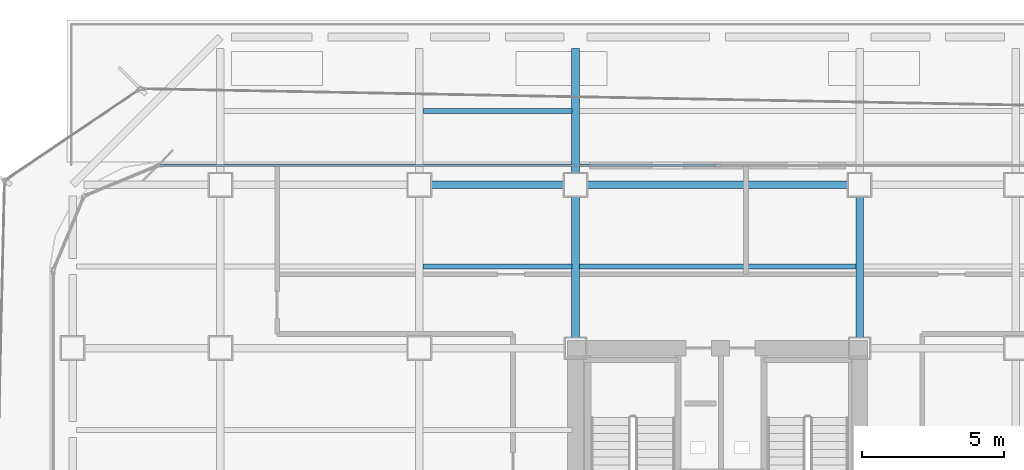
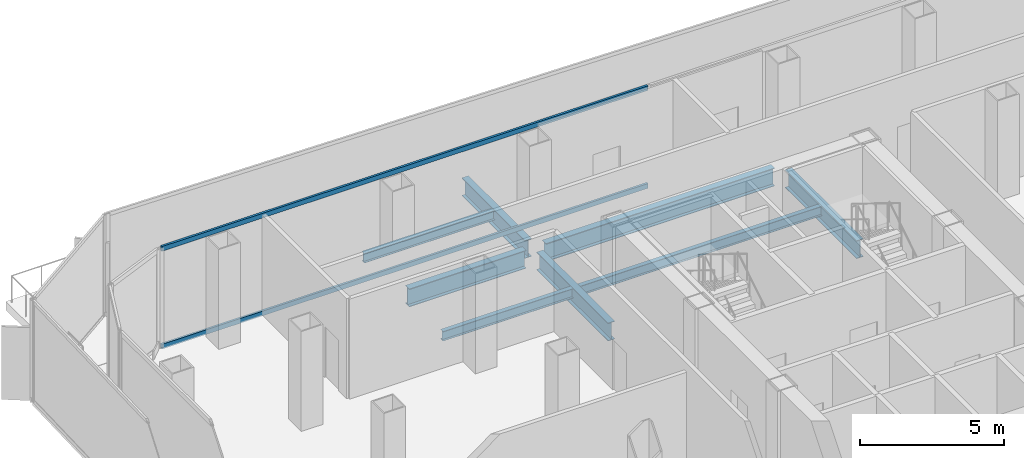
# One storey, part 11 of 21: 8 beams, 2 members, 1 element without a shape of its own.
"""IFC4 building model written with IfcOpenShell, lengths in metres."""

from ifc_helpers import new_model, si_unit, direction, frame, origin, origin_2d, place, context, subcontext, project, spatial, hollow_rectangle, i_section, extrude, source, transform, mapped, material, layer, layer_set, material_profile, profile_set, type_object, element, aggregate, save


model = new_model("IFC4")

# Units and contexts
model_context = context("Model", 3, precision=1e-05, world=origin(), true_north=direction((0.0, 1.0)))
body_context = subcontext(model_context, "Body", "Model", "MODEL_VIEW")
ifc_project = project(units=[si_unit("LENGTHUNIT", "METRE"), si_unit("AREAUNIT", "SQUARE_METRE"), si_unit("VOLUMEUNIT", "CUBIC_METRE"), si_unit("PLANEANGLEUNIT", "RADIAN"), si_unit("MASSUNIT", "GRAM", prefix="KILO")], contexts=[model_context])

# Site, building, storey
site_placement = place(None, origin())
site = spatial("IfcSite", under=ifc_project, at=site_placement, CompositionType="ELEMENT")
building_placement = place(site_placement, origin())
building = spatial("IfcBuilding", under=site, at=building_placement, Name="Kolveth Station Tower", CompositionType="ELEMENT")
storey_placement = place(building_placement, frame((0.0, 0.0, 88.199951171875)))
storey = spatial("IfcBuildingStorey", under=building, at=storey_placement, Name="L23", CompositionType="ELEMENT", Elevation=88.199951171875)

# Beams
ifc_material_1 = material(Name="Steel S355", Category="steel")
ifc_material_profile_1 = material_profile(ifc_material_1, i_section(OverallWidth=0.26708984375, OverallDepth=0.76611328125, WebThickness=0.014892578125, FlangeThickness=0.023681640625, at=origin_2d()), Name="W760x185")
ifc_profile_set_1 = profile_set([ifc_material_profile_1], Name="Steel S355")
beam_type_1 = type_object("IfcBeamType", Name="Beam_B3", PredefinedType="BEAM", material=ifc_profile_set_1)
shared_shape_1 = source(origin(), body_context, "Body", "SweptSolid", [
    extrude(i_section(OverallWidth=0.26708984375, OverallDepth=0.76611328125, WebThickness=0.014892578125, FlangeThickness=0.023681640625, at=origin_2d()), origin(), (0.0, 0.0, 1.0), 4.400146484375),
])
beam_1_placement = place(storey_placement, frame((18.5, 34.89990234375, -0.742919921875), z_axis=(0.0, 1.0, 0.0), x_axis=(-1.0, 0.0, 0.0)))
element("IfcBeam", 1, at=beam_1_placement, inside=storey, type_object=beam_type_1, Name="L23 Primary Girder BM-L23-GX185-7", PredefinedType="BEAM", context=body_context, shape_type="MappedRepresentation", body=[
    mapped(shared_shape_1, transform((0.0, 0.0, 0.0), x_axis=(1.0, 0.0, 0.0), y_axis=(0.0, 1.0, 0.0), z_axis=(0.0, 0.0, 1.0), scale=1.0)),
])
shared_shape_2 = source(origin(), body_context, "Body", "SweptSolid", [
    extrude(i_section(OverallWidth=0.26708984375, OverallDepth=0.76611328125, WebThickness=0.014892578125, FlangeThickness=0.023681640625, at=origin_2d()), origin(), (0.0, 0.0, 1.0), 4.7001953125),
])
beam_2_placement = place(storey_placement, frame((13.39990234375, 34.5, -0.742919921875), z_axis=(1.0, 0.0, 0.0), x_axis=(0.0, 1.0, 0.0)))
element("IfcBeam", 2, at=beam_2_placement, inside=storey, type_object=beam_type_1, Name="L23 Primary Girder BM-L23-GY345-3", PredefinedType="BEAM", context=body_context, shape_type="MappedRepresentation", body=[
    mapped(shared_shape_2, transform((0.0, 0.0, 0.0), x_axis=(1.0, 0.0, 0.0), y_axis=(0.0, 1.0, 0.0), z_axis=(0.0, 0.0, 1.0), scale=1.0)),
])
shared_shape_3 = source(origin(), body_context, "Body", "SweptSolid", [
    extrude(i_section(OverallWidth=0.26708984375, OverallDepth=0.76611328125, WebThickness=0.014892578125, FlangeThickness=0.023681640625, at=origin_2d()), origin(), (0.0, 0.0, 1.0), 9.2001953125),
])
beam_3_placement = place(storey_placement, frame((18.89990234375, 34.5, -0.742919921875), z_axis=(1.0, 0.0, 0.0), x_axis=(0.0, 1.0, 0.0)))
element("IfcBeam", 3, at=beam_3_placement, inside=storey, type_object=beam_type_1, Name="L23 Primary Girder BM-L23-GY345-4", PredefinedType="BEAM", context=body_context, shape_type="MappedRepresentation", body=[
    mapped(shared_shape_3, transform((0.0, 0.0, 0.0), x_axis=(1.0, 0.0, 0.0), y_axis=(0.0, 1.0, 0.0), z_axis=(0.0, 0.0, 1.0), scale=1.0)),
])
shared_shape_4 = source(origin(), body_context, "Body", "SweptSolid", [
    extrude(i_section(OverallWidth=0.26708984375, OverallDepth=0.76611328125, WebThickness=0.014892578125, FlangeThickness=0.023681640625, at=origin_2d()), origin(), (0.0, 0.0, 1.0), 4.989990234375),
])
for number, where, z_axis, x_axis, name in (
    (4, (18.5, 29.110107421875, -0.742919921875), (0.0, 1.0, 0.0), (-1.0, 0.0, 0.0), "L23 Primary Girder BM-L23-GX185-6"),
    (5, (28.5, 29.110107421875, -0.742919921875), (0.0, 1.0, 0.0), (-1.0, 0.0, 0.0), "L23 Primary Girder BM-L23-GX285-6"),
):
    element("IfcBeam", number, at=place(storey_placement, frame(where, z_axis=z_axis, x_axis=x_axis)), inside=storey, type_object=beam_type_1, Name=name, PredefinedType="BEAM", context=body_context, shape_type="MappedRepresentation", body=[
        mapped(shared_shape_4, transform((0.0, 0.0, 0.0), x_axis=(1.0, 0.0, 0.0), y_axis=(0.0, 1.0, 0.0), z_axis=(0.0, 0.0, 1.0), scale=1.0)),
    ])
ifc_material_profile_2 = material_profile(ifc_material_1, i_section(OverallWidth=0.177978515625, OverallDepth=0.406982421875, WebThickness=0.0078125, FlangeThickness=0.0126953125, at=origin_2d()), Name="W410x60")
ifc_profile_set_2 = profile_set([ifc_material_profile_2], Name="Steel S355")
beam_type_2 = type_object("IfcBeamType", Name="Beam_J1", PredefinedType="JOIST", material=ifc_profile_set_2)
shared_shape_5 = source(origin(), body_context, "Body", "SweptSolid", [
    extrude(i_section(OverallWidth=0.177978515625, OverallDepth=0.406982421875, WebThickness=0.0078125, FlangeThickness=0.0126953125, at=origin_2d()), origin(), (0.0, 0.0, 1.0), 5.23681640625),
])
for number, where, z_axis, x_axis, name in (
    (6, (13.131591796875, 31.625, -0.5634765625), (1.0, 0.0, 0.0), (0.0, 1.0, 0.0), "L23 Secondary Joist JST-L23-3-6"),
    (7, (13.131591796875, 37.10009765625, -0.5634765625), (1.0, 0.0, 0.0), (0.0, 1.0, 0.0), "L23 Secondary Joist JST-L23-3-7"),
):
    element("IfcBeam", number, at=place(storey_placement, frame(where, z_axis=z_axis, x_axis=x_axis)), inside=storey, type_object=beam_type_2, Name=name, PredefinedType="JOIST", context=body_context, shape_type="MappedRepresentation", body=[
        mapped(shared_shape_5, transform((0.0, 0.0, 0.0), x_axis=(1.0, 0.0, 0.0), y_axis=(0.0, 1.0, 0.0), z_axis=(0.0, 0.0, 1.0), scale=1.0)),
    ])
shared_shape_6 = source(origin(), body_context, "Body", "SweptSolid", [
    extrude(i_section(OverallWidth=0.177978515625, OverallDepth=0.406982421875, WebThickness=0.0078125, FlangeThickness=0.0126953125, at=origin_2d()), origin(), (0.0, 0.0, 1.0), 9.73681640625),
])
beam_4_placement = place(storey_placement, frame((18.631591796875, 31.625, -0.5634765625), z_axis=(1.0, 0.0, 0.0), x_axis=(0.0, 1.0, 0.0)))
element("IfcBeam", 8, at=beam_4_placement, inside=storey, type_object=beam_type_2, Name="L23 Secondary Joist JST-L23-4-6", PredefinedType="JOIST", context=body_context, shape_type="MappedRepresentation", body=[
    mapped(shared_shape_6, transform((0.0, 0.0, 0.0), x_axis=(1.0, 0.0, 0.0), y_axis=(0.0, 1.0, 0.0), z_axis=(0.0, 0.0, 1.0), scale=1.0)),
])

# Curtain wall, members
ifc_material_2 = material(Name="Aluminium 6063-T6 and acoustic laminated dark glass", Category="aluminium")
ifc_layer = layer(ifc_material_2, 0.219970703125)
ifc_layer_set = layer_set([ifc_layer], Name="Aluminium 6063-T6 and acoustic laminated dark glass")
curtain_wall_type = type_object("IfcCurtainWallType", Name="CurtainWall_CW-SL", PredefinedType="NOTDEFINED", material=ifc_layer_set)
curtain_wall_placement = place(storey_placement, origin())
curtain_wall = element("IfcCurtainWall", 9, at=curtain_wall_placement, inside=storey, type_object=curtain_wall_type, Name="L23 Inner Thermal Curtain Wall 6", PredefinedType="NOTDEFINED")
ifc_material_3 = material(Name="Black anodized aluminium 6063-T6", Category="aluminium")
ifc_material_profile_3 = material_profile(ifc_material_3, hollow_rectangle(XDim=0.090087890625, YDim=0.199951171875, WallThickness=0.0048828125, at=origin_2d()), Name="ALU-90x200x5")
ifc_profile_set_3 = profile_set([ifc_material_profile_3], Name="Black anodized aluminium 6063-T6")
member_type = type_object("IfcMemberType", Name="Transom_TR-SL", PredefinedType="USERDEFINED", material=ifc_profile_set_3)
shared_shape_7 = source(origin(), body_context, "Body", "SweptSolid", [
    extrude(hollow_rectangle(XDim=0.090087890625, YDim=0.199951171875, WallThickness=0.0048828125, at=origin_2d()), origin(), (0.0, 0.0, 1.0), 19.557373046875),
])
member_1_placement = place(storey_placement, frame((23.452392578125, 35.179931640625, 0.045166015625), z_axis=(-1.0, 0.0, 0.0), x_axis=(0.0, -1.0, 0.0)))
member_1 = element("IfcMember", 10, at=member_1_placement, type_object=member_type, Name="CW-SL transom 2.1", ObjectType="TRANSOM", PredefinedType="USERDEFINED", context=body_context, shape_type="MappedRepresentation", body=[
    mapped(shared_shape_7, transform((0.0, 0.0, 0.0), x_axis=(1.0, 0.0, 0.0), y_axis=(0.0, 1.0, 0.0), z_axis=(0.0, 0.0, 1.0), scale=1.0)),
])
member_2_placement = place(storey_placement, frame((23.452392578125, 35.179931640625, 4.205078125), z_axis=(-1.0, 0.0, 0.0), x_axis=(0.0, -1.0, 0.0)))
member_2 = element("IfcMember", 11, at=member_2_placement, type_object=member_type, Name="CW-SL transom 2.2", ObjectType="TRANSOM", PredefinedType="USERDEFINED", context=body_context, shape_type="MappedRepresentation", body=[
    mapped(shared_shape_7, transform((0.0, 0.0, 0.0), x_axis=(1.0, 0.0, 0.0), y_axis=(0.0, 1.0, 0.0), z_axis=(0.0, 0.0, 1.0), scale=1.0)),
])
aggregate(curtain_wall, [member_1, member_2])

save(model, "model.ifc")
